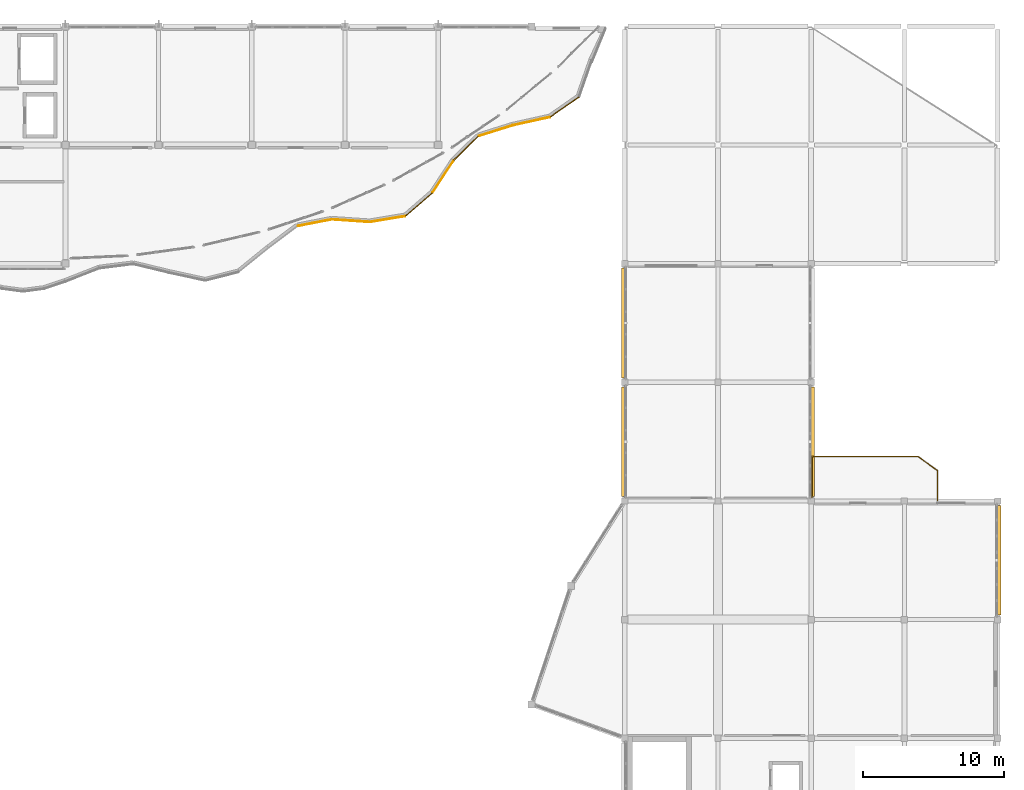
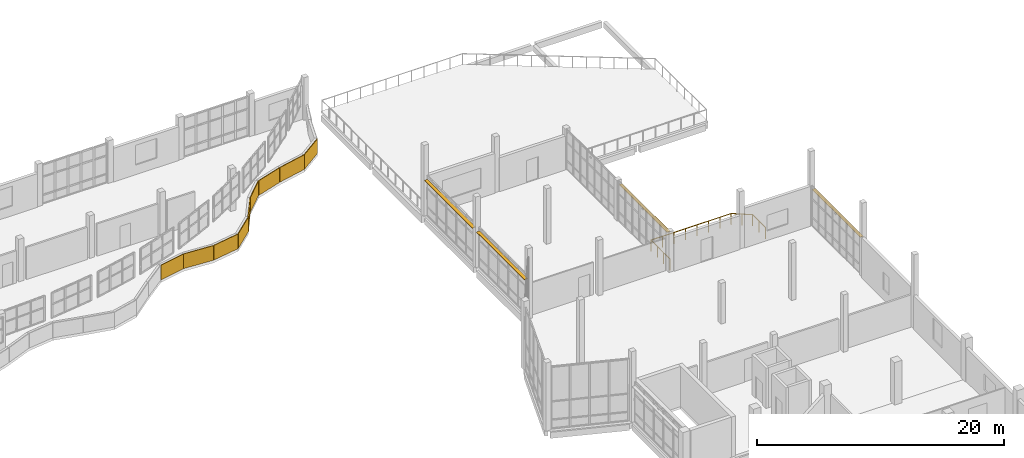
# One storey, part 77 of 78: 9 coverings, 4 shading devices, 1 railing.
"""IFC4 building model written with IfcOpenShell, lengths in metres."""

from ifc_helpers import new_model, si_unit, direction, frame, origin, origin_2d, place, context, subcontext, project, spatial, rectangle, circle, extrude, material, layer, layer_set, type_object, element, save


model = new_model("IFC4")

# Units and contexts
model_context = context("Model", 3, precision=1e-05, world=origin(), true_north=direction((0.0, 1.0)))
body_context = subcontext(model_context, "Body", "Model", "MODEL_VIEW")
ifc_project = project(units=[si_unit("LENGTHUNIT", "METRE"), si_unit("AREAUNIT", "SQUARE_METRE"), si_unit("VOLUMEUNIT", "CUBIC_METRE"), si_unit("PLANEANGLEUNIT", "RADIAN"), si_unit("MASSUNIT", "GRAM", prefix="KILO")], contexts=[model_context])

# Site, building, storey
site_placement = place(None, origin())
site = spatial("IfcSite", under=ifc_project, at=site_placement, CompositionType="ELEMENT")
building_placement = place(site_placement, origin())
building = spatial("IfcBuilding", under=site, at=building_placement, Name="Qaldarim Faculty of Natural and Applied Sciences", CompositionType="ELEMENT")
storey_placement = place(building_placement, frame((0.0, 0.0, 18.60009765625)))
storey = spatial("IfcBuildingStorey", under=building, at=storey_placement, Name="L04", CompositionType="ELEMENT", Elevation=18.60009765625)

# Railing
ifc_material_1 = material(Name="Architectural stainless steel 316", Category="steel")
railing_type = type_object("IfcRailingType", Name="ExteriorGuardBalustrade-1100", PredefinedType="BALUSTRADE", material=ifc_material_1)
railing_placement = place(storey_placement, frame((165.050048828125, 84.050048828125, 0.0)))
element("IfcRailing", 1, at=railing_placement, inside=storey, type_object=railing_type, Name="Safety guard balustrade GRD-COURTBAL-L04", PredefinedType="BALUSTRADE", context=body_context, shape_type="SweptSolid", body=[
    extrude(circle(Radius=0.02392578125, at=origin_2d()), frame((0.0, 0.00390625, 1.076171875), z_axis=(0.0, 1.0, 0.0), x_axis=(-1.0, 0.0, 0.0)), (0.0, 0.0, 1.0), 3.091796875),
    extrude(circle(Radius=0.02392578125, at=origin_2d()), frame((0.00390625, 3.099853515625, 1.076171875), z_axis=(1.0, 0.0, 0.0), x_axis=(0.0, 1.0, 0.0)), (0.0, 0.0, 1.0), 7.491943359375),
    extrude(circle(Radius=0.02392578125, at=origin_2d()), frame((7.503173828125, 3.097412109375, 1.076171875), z_axis=(0.813714293681, -0.581265041318, 0.0), x_axis=(0.581265041318, 0.813714293681, 0.0)), (0.0, 0.0, 1.0), 1.71240234375),
    extrude(circle(Radius=0.02392578125, at=origin_2d()), frame((8.89990234375, 2.095947265625, 1.076171875), z_axis=(0.0, -1.0, 0.0), x_axis=(1.0, 0.0, 0.0)), (0.0, 0.0, 1.0), 2.091796875),
    extrude(circle(Radius=0.02099609375, at=origin_2d()), origin(), (0.0, 0.0, 1.0), 1.052001953125),
    extrude(circle(Radius=0.02099609375, at=origin_2d()), frame((0.0, 1.033203125, 0.0)), (0.0, 0.0, 1.0), 1.052001953125),
    extrude(circle(Radius=0.02099609375, at=origin_2d()), frame((0.0, 2.066650390625, 0.0)), (0.0, 0.0, 1.0), 1.052001953125),
    extrude(circle(Radius=0.02099609375, at=origin_2d()), frame((0.0, 3.099853515625, 0.0)), (0.0, 0.0, 1.0), 1.052001953125),
    extrude(circle(Radius=0.02099609375, at=origin_2d()), frame((1.071533203125, 3.099853515625, 0.0)), (0.0, 0.0, 1.0), 1.052001953125),
    extrude(circle(Radius=0.02099609375, at=origin_2d()), frame((2.142822265625, 3.099853515625, 0.0)), (0.0, 0.0, 1.0), 1.052001953125),
    extrude(circle(Radius=0.02099609375, at=origin_2d()), frame((3.21435546875, 3.099853515625, 0.0)), (0.0, 0.0, 1.0), 1.052001953125),
    extrude(circle(Radius=0.02099609375, at=origin_2d()), frame((4.28564453125, 3.099853515625, 0.0)), (0.0, 0.0, 1.0), 1.052001953125),
    extrude(circle(Radius=0.02099609375, at=origin_2d()), frame((5.357177734375, 3.099853515625, 0.0)), (0.0, 0.0, 1.0), 1.052001953125),
    extrude(circle(Radius=0.02099609375, at=origin_2d()), frame((6.428466796875, 3.099853515625, 0.0)), (0.0, 0.0, 1.0), 1.052001953125),
    extrude(circle(Radius=0.02099609375, at=origin_2d()), frame((7.5, 3.099853515625, 0.0)), (0.0, 0.0, 1.0), 1.052001953125),
    extrude(circle(Radius=0.02099609375, at=origin_2d()), frame((8.199951171875, 2.599853515625, 0.0)), (0.0, 0.0, 1.0), 1.052001953125),
    extrude(circle(Radius=0.02099609375, at=origin_2d()), frame((8.89990234375, 2.099853515625, 0.0)), (0.0, 0.0, 1.0), 1.052001953125),
    extrude(circle(Radius=0.02099609375, at=origin_2d()), frame((8.89990234375, 1.0498046875, 0.0)), (0.0, 0.0, 1.0), 1.052001953125),
    extrude(circle(Radius=0.02099609375, at=origin_2d()), frame((8.89990234375, 0.0, 0.0)), (0.0, 0.0, 1.0), 1.052001953125),
])

# Coverings
ifc_material_2 = material(Name="White architectural precast concrete C40/50", Category="concrete")
ifc_layer_1 = layer(ifc_material_2, 0.06005859375)
ifc_layer_set_1 = layer_set([ifc_layer_1], Name="White architectural precast concrete C40/50")
covering_type = type_object("IfcCoveringType", Name="LimestoneSpandrelCladding-60", PredefinedType="CLADDING", material=ifc_layer_set_1)
covering_1_placement = place(storey_placement, frame((129.840087890625, 103.695068359375, 0.0), z_axis=(0.0, 0.0, 1.0), x_axis=(0.981520462508, 0.191357209633, 0.0)))
element("IfcCovering", 2, at=covering_1_placement, inside=storey, type_object=covering_type, Name="White limestone wave band fascia L04 chord 52", PredefinedType="CLADDING", context=body_context, shape_type="SweptSolid", body=[
    extrude(rectangle(XDim=2.389892578125, YDim=0.06005859375, at=origin_2d()), origin(), (0.0, 0.0, 1.0), 1.449951171875),
])
covering_2_placement = place(storey_placement, frame((132.39501953125, 103.840087890625, 0.0), z_axis=(0.0, 0.0, 1.0), x_axis=(0.997678339583, -0.068102354784, 0.0)))
element("IfcCovering", 3, at=covering_2_placement, inside=storey, type_object=covering_type, Name="White limestone wave band fascia L04 chord 53", PredefinedType="CLADDING", context=body_context, shape_type="SweptSolid", body=[
    extrude(rectangle(XDim=2.675048828125, YDim=0.06005859375, at=origin_2d()), origin(), (0.0, 0.0, 1.0), 1.449951171875),
])
covering_3_placement = place(storey_placement, frame((135.010009765625, 103.955078125, 0.0), z_axis=(0.0, 0.0, 1.0), x_axis=(0.986603499759, 0.163136550975, 0.0)))
element("IfcCovering", 4, at=covering_3_placement, inside=storey, type_object=covering_type, Name="White limestone wave band fascia L04 chord 54", PredefinedType="CLADDING", context=body_context, shape_type="SweptSolid", body=[
    extrude(rectangle(XDim=2.534912109375, YDim=0.06005859375, at=origin_2d()), origin(), (0.0, 0.0, 1.0), 1.449951171875),
])
covering_4_placement = place(storey_placement, frame((137.22998046875, 104.989990234375, 0.0), z_axis=(0.0, 0.0, 1.0), x_axis=(0.755361878885, 0.65530789094, 0.0)))
element("IfcCovering", 5, at=covering_4_placement, inside=storey, type_object=covering_type, Name="White limestone wave band fascia L04 chord 55", PredefinedType="CLADDING", context=body_context, shape_type="SweptSolid", body=[
    extrude(rectangle(XDim=2.510009765625, YDim=0.06005859375, at=origin_2d()), origin(), (0.0, 0.0, 1.0), 1.449951171875),
])
covering_5_placement = place(storey_placement, frame((138.93505859375, 106.9599609375, 0.0), z_axis=(0.0, 0.0, 1.0), x_axis=(0.548337016609, 0.836257446135, 0.0)))
element("IfcCovering", 6, at=covering_5_placement, inside=storey, type_object=covering_type, Name="White limestone wave band fascia L04 chord 56", PredefinedType="CLADDING", context=body_context, shape_type="SweptSolid", body=[
    extrude(rectangle(XDim=2.68505859375, YDim=0.06005859375, at=origin_2d()), origin(), (0.0, 0.0, 1.0), 1.449951171875),
])
covering_6_placement = place(storey_placement, frame((140.56005859375, 108.965087890625, 0.0), z_axis=(0.0, 0.0, 1.0), x_axis=(0.715204973482, 0.698914762976, 0.0)))
element("IfcCovering", 7, at=covering_6_placement, inside=storey, type_object=covering_type, Name="White limestone wave band fascia L04 chord 57", PredefinedType="CLADDING", context=body_context, shape_type="SweptSolid", body=[
    extrude(rectangle(XDim=2.4150390625, YDim=0.06005859375, at=origin_2d()), origin(), (0.0, 0.0, 1.0), 1.449951171875),
])
covering_7_placement = place(storey_placement, frame((142.659912109375, 110.2099609375, 0.0), z_axis=(0.0, 0.0, 1.0), x_axis=(0.953701204522, 0.300755735595, 0.0)))
element("IfcCovering", 8, at=covering_7_placement, inside=storey, type_object=covering_type, Name="White limestone wave band fascia L04 chord 58", PredefinedType="CLADDING", context=body_context, shape_type="SweptSolid", body=[
    extrude(rectangle(XDim=2.485107421875, YDim=0.06005859375, at=origin_2d()), origin(), (0.0, 0.0, 1.0), 1.449951171875),
])
covering_8_placement = place(storey_placement, frame((145.195068359375, 110.885009765625, 0.0), z_axis=(0.0, 0.0, 1.0), x_axis=(0.976273336263, 0.21654185023, 0.0)))
element("IfcCovering", 9, at=covering_8_placement, inside=storey, type_object=covering_type, Name="White limestone wave band fascia L04 chord 59", PredefinedType="CLADDING", context=body_context, shape_type="SweptSolid", body=[
    extrude(rectangle(XDim=2.68505859375, YDim=0.06005859375, at=origin_2d()), origin(), (0.0, 0.0, 1.0), 1.449951171875),
])
covering_9_placement = place(storey_placement, frame((147.5400390625, 111.889892578125, 0.0), z_axis=(0.0, 0.0, 1.0), x_axis=(0.820171847033, 0.572117244396, 0.0)))
element("IfcCovering", 10, at=covering_9_placement, inside=storey, type_object=covering_type, Name="White limestone wave band fascia L04 chord 60", PredefinedType="CLADDING", context=body_context, shape_type="SweptSolid", body=[
    extrude(rectangle(XDim=2.4599609375, YDim=0.06005859375, at=origin_2d()), origin(), (0.0, 0.0, 1.0), 1.449951171875),
])

# Shading devices
ifc_material_3 = material(Name="Champagne anodised aluminium AW-6063", Category="aluminium")
ifc_layer_2 = layer(ifc_material_3, 0.050048828125)
ifc_layer_set_2 = layer_set([ifc_layer_2], Name="Champagne anodised aluminium AW-6063")
shading_device_type = type_object("IfcShadingDeviceType", Name="SolarLouvre-ALU300x50", PredefinedType="JALOUSIE", material=ifc_layer_set_2)
for number, where, z_axis, x_axis, name in (
    (11, (151.72998046875, 88.199951171875, 3.56494140625), (0.0, 0.0, 1.0), (0.0, 1.0, 0.0), "Horizontal solar louvre L04 W X24Y11"),
    (12, (151.72998046875, 96.60009765625, 3.56494140625), (0.0, 0.0, 1.0), (0.0, 1.0, 0.0), "Horizontal solar louvre L04 W X24Y12"),
    (13, (165.070068359375, 88.199951171875, 3.56494140625), (0.0, 0.0, 1.0), (0.0, 1.0, 0.0), "Horizontal solar louvre L04 E X25Y11"),
    (14, (178.27001953125, 79.800048828125, 3.56494140625), (0.0, 0.0, 1.0), (0.0, 1.0, 0.0), "Horizontal solar louvre L04 E X27Y10"),
):
    element("IfcShadingDevice", number, at=place(storey_placement, frame(where, z_axis=z_axis, x_axis=x_axis)), inside=storey, type_object=shading_device_type, Name=name, PredefinedType="JALOUSIE", context=body_context, shape_type="SweptSolid", body=[
        extrude(rectangle(XDim=7.760009765625, YDim=0.300048828125, at=origin_2d()), origin(), (0.0, 0.0, 1.0), 0.050048828125),
    ])

save(model, "model.ifc")
